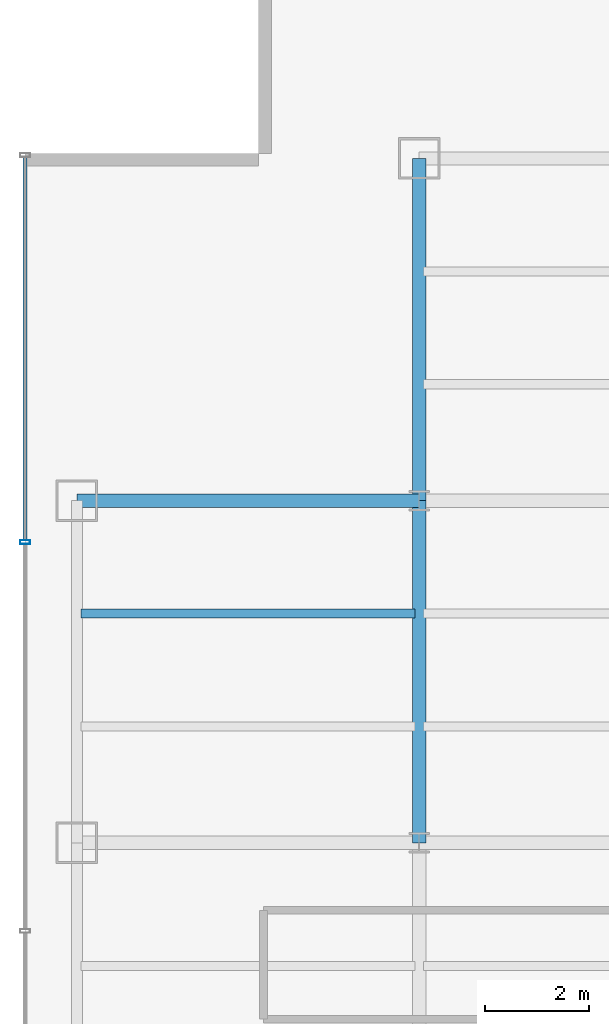
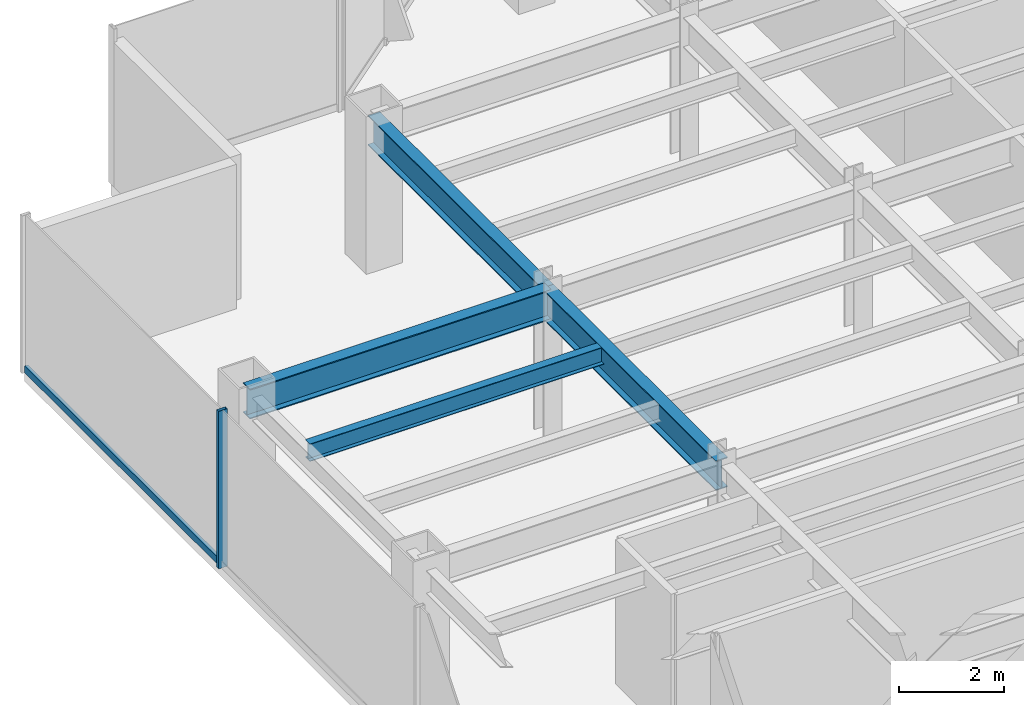
# One storey, part 6 of 26: 4 beams, 2 members, 1 element without a shape of its own.
"""IFC4 building model written with IfcOpenShell, lengths in metres."""

from ifc_helpers import new_model, si_unit, derived_unit, direction, frame, origin, origin_2d, place, context, subcontext, project, spatial, hollow_rectangle, i_section, extrude, source, transform, mapped, material, material_profile, profile_set, type_object, element, aggregate, save


model = new_model("IFC4")

# Units and contexts
model_context = context("Model", 3, precision=1e-05, world=origin(), true_north=direction((0.0, 1.0)))
body_context = subcontext(model_context, "Body", "Model", "MODEL_VIEW")
ifc_project = project(units=[si_unit("LENGTHUNIT", "METRE"), si_unit("AREAUNIT", "SQUARE_METRE"), si_unit("VOLUMEUNIT", "CUBIC_METRE"), si_unit("PLANEANGLEUNIT", "RADIAN"), si_unit("MASSUNIT", "GRAM", prefix="KILO"), derived_unit("THERMALTRANSMITTANCEUNIT", [(si_unit("POWERUNIT", "WATT"), 1), (si_unit("LENGTHUNIT", "METRE"), -2), (si_unit("THERMODYNAMICTEMPERATUREUNIT", "KELVIN"), -1)])], contexts=[model_context])

# Site, building, storey
site_placement = place(None, origin())
site = spatial("IfcSite", under=ifc_project, at=site_placement, CompositionType="ELEMENT")
building_placement = place(site_placement, origin())
building = spatial("IfcBuilding", under=site, at=building_placement, Name="Skarnbrae Concourse Arena and Tower", CompositionType="ELEMENT")
storey_placement = place(building_placement, frame((0.0, 0.0, 132.449951171875)))
storey = spatial("IfcBuildingStorey", under=building, at=storey_placement, Name="L33", CompositionType="ELEMENT", Elevation=132.449951171875)

# Beams
ifc_material_1 = material(Name="Steel CSA G40.21 350W", Category="steel")
ifc_material_profile_1 = material_profile(ifc_material_1, i_section(OverallWidth=0.256103515625, OverallDepth=0.693115234375, WebThickness=0.014404296875, FlangeThickness=0.023681640625, at=origin_2d()), Name="W690X170")
ifc_profile_set_1 = profile_set([ifc_material_profile_1], Name="Steel CSA G40.21 350W")
beam_type_1 = type_object("IfcBeamType", Name="BM-GIRD-W690X170", PredefinedType="BEAM", material=ifc_profile_set_1)
shared_shape_1 = source(origin(), body_context, "Body", "SweptSolid", [
    extrude(i_section(OverallWidth=0.256103515625, OverallDepth=0.693115234375, WebThickness=0.014404296875, FlangeThickness=0.023681640625, at=origin_2d()), origin(), (0.0, 0.0, 1.0), 6.60009765625),
])
for number, where, z_axis, x_axis, name in (
    (1, (1.0, 27.800048828125, 3.003662109375), (1.0, 0.0, 0.0), (0.0, 1.0, 0.0), "L33 Primary E-W girder Y27.8-1"),
    (2, (7.60009765625, 21.199951171875, 3.003662109375), (0.0, 1.0, 0.0), (-1.0, 0.0, 0.0), "L33 Primary N-S girder X7.6-2"),
):
    element("IfcBeam", number, at=place(storey_placement, frame(where, z_axis=z_axis, x_axis=x_axis)), inside=storey, type_object=beam_type_1, Name=name, PredefinedType="BEAM", context=body_context, shape_type="MappedRepresentation", body=[
        mapped(shared_shape_1, transform((0.0, 0.0, 0.0))),
    ])
shared_shape_2 = source(origin(), body_context, "Body", "SweptSolid", [
    extrude(i_section(OverallWidth=0.256103515625, OverallDepth=0.693115234375, WebThickness=0.014404296875, FlangeThickness=0.023681640625, at=origin_2d()), origin(), (0.0, 0.0, 1.0), 6.599853515625),
])
beam_1_placement = place(storey_placement, frame((7.60009765625, 27.800048828125, 3.003662109375), z_axis=(0.0, 1.0, 0.0), x_axis=(-1.0, 0.0, 0.0)))
element("IfcBeam", 3, at=beam_1_placement, inside=storey, type_object=beam_type_1, Name="L33 Primary N-S girder X7.6-3", PredefinedType="BEAM", context=body_context, shape_type="MappedRepresentation", body=[
    mapped(shared_shape_2, transform((0.0, 0.0, 0.0))),
])
ifc_material_profile_2 = material_profile(ifc_material_1, i_section(OverallWidth=0.177978515625, OverallDepth=0.406982421875, WebThickness=0.0078125, FlangeThickness=0.0126953125, at=origin_2d()), Name="W410X60")
ifc_profile_set_2 = profile_set([ifc_material_profile_2], Name="Steel CSA G40.21 350W")
beam_type_2 = type_object("IfcBeamType", Name="BM-JOIST-W410X60", PredefinedType="JOIST", material=ifc_profile_set_2)
shared_shape_3 = source(origin(), body_context, "Body", "SweptSolid", [
    extrude(i_section(OverallWidth=0.177978515625, OverallDepth=0.406982421875, WebThickness=0.0078125, FlangeThickness=0.0126953125, at=origin_2d()), origin(), (0.0, 0.0, 1.0), 6.43994140625),
])
beam_2_placement = place(storey_placement, frame((1.080078125, 25.6220703125, 3.146484375), z_axis=(1.0, 0.0, 0.0), x_axis=(0.0, 1.0, 0.0)))
element("IfcBeam", 4, at=beam_2_placement, inside=storey, type_object=beam_type_2, Name="L33 Secondary floor joist 2.2.1", PredefinedType="JOIST", context=body_context, shape_type="MappedRepresentation", body=[
    mapped(shared_shape_3, transform((0.0, 0.0, 0.0))),
])

# Curtain wall, members
ifc_material_2 = material(Name="Bronze anodised aluminium 6063-T6", Category="aluminium")
curtain_wall_type = type_object("IfcCurtainWallType", Name="CW-SYS-04-MIDZONE", PredefinedType="USERDEFINED", material=ifc_material_2)
curtain_wall_placement = place(storey_placement, origin())
curtain_wall = element("IfcCurtainWall", 5, at=curtain_wall_placement, inside=storey, type_object=curtain_wall_type, Name="L33 Unitised curtain wall CW-L33-E19", ObjectType="UNITISED CURTAIN WALL", PredefinedType="USERDEFINED")
ifc_material_profile_3 = material_profile(ifc_material_2, hollow_rectangle(XDim=0.074951171875, YDim=0.195068359375, WallThickness=0.00439453125, at=origin_2d()), Name="ALU-MULL-75X195")
ifc_profile_set_3 = profile_set([ifc_material_profile_3], Name="Bronze anodised aluminium 6063-T6")
member_type_1 = type_object("IfcMemberType", Name="CWM-CW-04", PredefinedType="MULLION", material=ifc_profile_set_3)
shared_shape_4 = source(origin(), body_context, "Body", "SweptSolid", [
    extrude(hollow_rectangle(XDim=0.074951171875, YDim=0.195068359375, WallThickness=0.00439453125, at=origin_2d()), origin(), (0.0, 0.0, 1.0), 3.650146484375),
])
member_1_placement = place(storey_placement, frame((0.0, 27.0, 0.0), z_axis=(0.0, 0.0, 1.0), x_axis=(0.0, -1.0, 0.0)))
member_1 = element("IfcMember", 6, at=member_1_placement, type_object=member_type_1, Name="CW-L33-E19 Mullion 2", PredefinedType="MULLION", context=body_context, shape_type="MappedRepresentation", body=[
    mapped(shared_shape_4, transform((0.0, 0.0, 0.0))),
])
ifc_material_profile_4 = material_profile(ifc_material_2, hollow_rectangle(XDim=0.074951171875, YDim=0.159912109375, WallThickness=0.00439453125, at=origin_2d()), Name="ALU-TRAN-75X160")
ifc_profile_set_4 = profile_set([ifc_material_profile_4], Name="Bronze anodised aluminium 6063-T6")
member_type_2 = type_object("IfcMemberType", Name="CWT-CW-04", PredefinedType="USERDEFINED", material=ifc_profile_set_4)
shared_shape_5 = source(origin(), body_context, "Body", "SweptSolid", [
    extrude(hollow_rectangle(XDim=0.074951171875, YDim=0.159912109375, WallThickness=0.00439453125, at=origin_2d()), origin(), (0.0, 0.0, 1.0), 7.387451171875),
])
member_2_placement = place(storey_placement, frame((0.0, 34.425048828125, 0.080078125), z_axis=(0.0, -1.0, 0.0), x_axis=(1.0, 0.0, 0.0)))
member_2 = element("IfcMember", 7, at=member_2_placement, type_object=member_type_2, Name="CW-L33-E19 Transom 1", ObjectType="TRANSOM", PredefinedType="USERDEFINED", context=body_context, shape_type="MappedRepresentation", body=[
    mapped(shared_shape_5, transform((0.0, 0.0, 0.0))),
])
aggregate(curtain_wall, [member_1, member_2])

save(model, "model.ifc")
